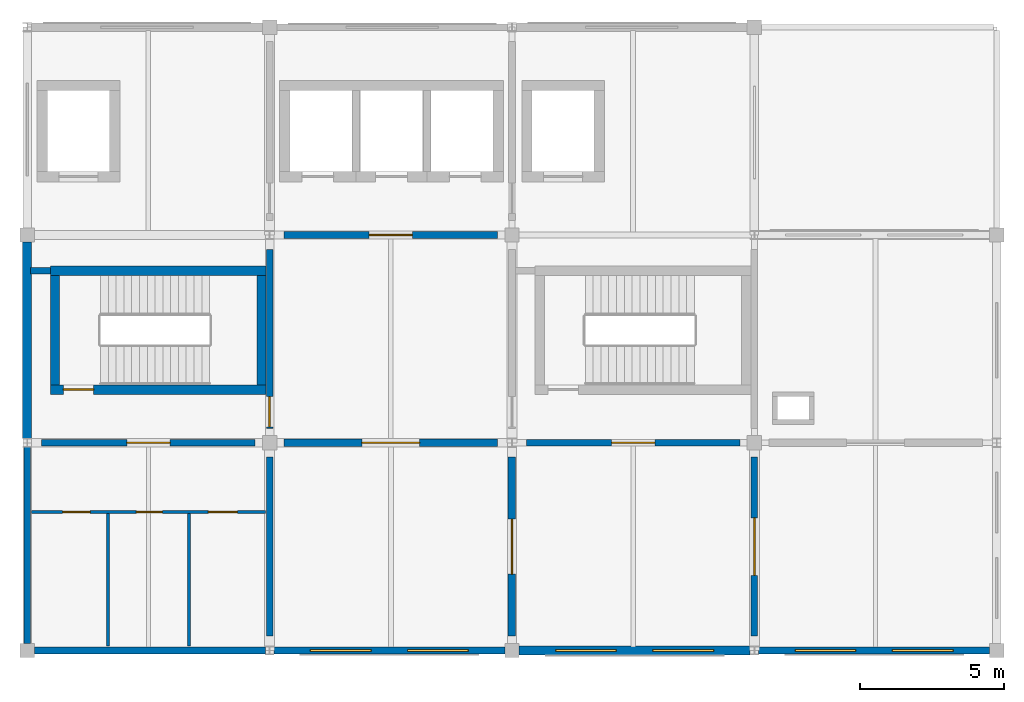
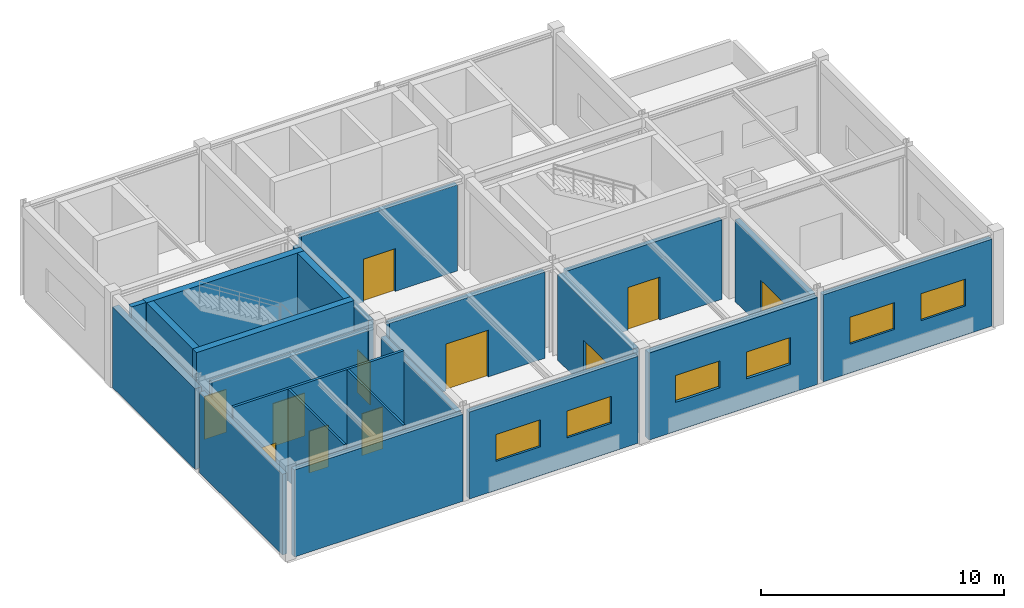
# One storey, part 2 of 5: 22 walls, 11 doors, 6 windows, 17 openings.
"""IFC4 building model written with IfcOpenShell, lengths in metres."""

from ifc_helpers import new_model, si_unit, derived_unit, direction, frame, frame_2d, origin, place, context, subcontext, project, spatial, rectangle, extrude, material, layer, layer_set, type_object, element, fill, save


model = new_model("IFC4")

# Units and contexts
model_context = context("Model", 3, precision=1e-05, world=origin(), true_north=direction((0.0, 1.0)))
body_context = subcontext(model_context, "Body", "Model", "MODEL_VIEW")
ifc_project = project(units=[si_unit("LENGTHUNIT", "METRE"), si_unit("AREAUNIT", "SQUARE_METRE"), si_unit("VOLUMEUNIT", "CUBIC_METRE"), si_unit("PLANEANGLEUNIT", "RADIAN"), si_unit("MASSUNIT", "GRAM", prefix="KILO"), derived_unit("THERMALTRANSMITTANCEUNIT", [(si_unit("MASSUNIT", "GRAM", prefix="KILO"), 1), (si_unit("TIMEUNIT", "SECOND"), -3), (si_unit("THERMODYNAMICTEMPERATUREUNIT", "KELVIN"), -1)])], contexts=[model_context])

# Site, building, storey
site_placement = place(None, origin())
site = spatial("IfcSite", under=ifc_project, at=site_placement, CompositionType="ELEMENT")
building_placement = place(site_placement, origin())
building = spatial("IfcBuilding", under=site, at=building_placement, Name="Veldstrom Oceanarium and Marine Research Institute", CompositionType="ELEMENT")
storey_placement = place(building_placement, frame((0.0, 0.0, 69.0)))
storey = spatial("IfcBuildingStorey", under=building, at=storey_placement, Name="L15", CompositionType="ELEMENT", Elevation=69.0)

# Wall
ifc_material_1 = material(Name="Masonry Cavity Wall", Category="masonry")
ifc_layer_1 = layer(ifc_material_1, 0.31005859375)
ifc_layer_set_1 = layer_set([ifc_layer_1], Name="ARC-WAL-EW1")
wall_type_1 = type_object("IfcWallType", Name="ARC-WAL-EW1", PredefinedType="SOLIDWALL", material=ifc_layer_set_1)
wall_1_placement = place(storey_placement, frame((75.60009765625, 50.550048828125, 0.0), z_axis=(0.0, 0.0, 1.0), x_axis=(0.0, 1.0, 0.0)))
element("IfcWall", 1, at=wall_1_placement, inside=storey, type_object=wall_type_1, Name="Exterior Facade Wall EW1 L15-283", PredefinedType="SOLIDWALL", context=body_context, shape_type="SweptSolid", body=[
    extrude(rectangle(XDim=6.800048828125, YDim=0.31005859375, at=frame_2d((3.39990234375, 0.0))), origin(), (0.0, 0.0, 1.0), 4.044921875),
])

# Wall, openings, windows
wall_2_placement = place(storey_placement, frame((92.64990234375, 43.199951171875, 0.0), z_axis=(0.0, 0.0, 1.0), x_axis=(1.0, 0.0, 0.0)))
wall_2 = element("IfcWall", 2, at=wall_2_placement, inside=storey, type_object=wall_type_1, Name="Exterior Facade Wall EW1 L15-288", PredefinedType="SOLIDWALL", context=body_context, shape_type="SweptSolid", body=[
    extrude(rectangle(XDim=8.0, YDim=0.31005859375, at=frame_2d((4.0, 0.0))), origin(), (0.0, 0.0, 1.0), 4.364990234375),
])
opening_1_placement = place(wall_2_placement, frame((1.2666015625, 0.0, 1.449951171875)))
opening_1 = element("IfcOpeningElement", 3, at=opening_1_placement, cuts=wall_2, Name="Opening W26", PredefinedType="OPENING", context=body_context, shape_type="SweptSolid", body=[
    extrude(rectangle(XDim=2.10009765625, YDim=1.35009765625, at=frame_2d((1.050048828125, 0.675048828125))), frame((0.0, 0.1650390625, 0.0), z_axis=(0.0, -1.0, 0.0), x_axis=(1.0, 0.0, 0.0)), (0.0, 0.0, 1.0), 0.330078125),
])
opening_2_placement = place(wall_2_placement, frame((4.63330078125, 0.0, 1.449951171875)))
opening_2 = element("IfcOpeningElement", 4, at=opening_2_placement, cuts=wall_2, Name="Opening W26", PredefinedType="OPENING", context=body_context, shape_type="SweptSolid", body=[
    extrude(rectangle(XDim=2.10009765625, YDim=1.35009765625, at=frame_2d((1.050048828125, 0.675048828125))), frame((0.0, 0.1650390625, 0.0), z_axis=(0.0, -1.0, 0.0), x_axis=(1.0, 0.0, 0.0)), (0.0, 0.0, 1.0), 0.330078125),
])
ifc_material_2 = material(Name="Double Glazed Low-E IGU", Category="glass")
window_type = type_object("IfcWindowType", Name="ARC-WIN-W26", PartitioningType="SINGLE_PANEL", PredefinedType="WINDOW", material=ifc_material_2)
window_1_placement = place(opening_1_placement, origin())
window_1 = element("IfcWindow", 5, at=window_1_placement, inside=storey, type_object=window_type, Name="Facade Window W26 L15-0285", OverallHeight=1.35009765625, OverallWidth=2.10009765625, PartitioningType="SINGLE_PANEL", PredefinedType="WINDOW", context=body_context, shape_type="SweptSolid", body=[
    extrude(rectangle(XDim=2.10009765625, YDim=1.35009765625, at=frame_2d((1.050048828125, 0.675048828125))), frame((0.0, 0.030029296875, 0.0), z_axis=(0.0, -1.0, 0.0), x_axis=(1.0, 0.0, 0.0)), (0.0, 0.0, 1.0), 0.06005859375),
])
fill(opening_1, window_1)
window_2_placement = place(opening_2_placement, origin())
window_2 = element("IfcWindow", 6, at=window_2_placement, inside=storey, type_object=window_type, Name="Facade Window W26 L15-0286", OverallHeight=1.35009765625, OverallWidth=2.10009765625, PartitioningType="SINGLE_PANEL", PredefinedType="WINDOW", context=body_context, shape_type="SweptSolid", body=[
    extrude(rectangle(XDim=2.10009765625, YDim=1.35009765625, at=frame_2d((1.050048828125, 0.675048828125))), frame((0.0, 0.030029296875, 0.0), z_axis=(0.0, -1.0, 0.0), x_axis=(1.0, 0.0, 0.0)), (0.0, 0.0, 1.0), 0.06005859375),
])
fill(opening_2, window_2)

# Wall
ifc_material_3 = material(Name="Masonry Cavity Wall", Category="masonry")
ifc_layer_2 = layer(ifc_material_3, 0.25)
ifc_layer_set_2 = layer_set([ifc_layer_2], Name="ARC-WAL-EW5")
wall_type_2 = type_object("IfcWallType", Name="ARC-WAL-EW5", PredefinedType="SOLIDWALL", material=ifc_layer_set_2)
wall_3_placement = place(storey_placement, frame((75.85009765625, 43.199951171875, 0.0), z_axis=(0.0, 0.0, 1.0), x_axis=(1.0, 0.0, 0.0)))
element("IfcWall", 7, at=wall_3_placement, inside=storey, type_object=wall_type_2, Name="Exterior Facade Wall EW5 L15-281", PredefinedType="SOLIDWALL", context=body_context, shape_type="SweptSolid", body=[
    extrude(rectangle(XDim=8.0, YDim=0.25, at=frame_2d((4.0, 0.0))), origin(), (0.0, 0.0, 1.0), 4.364990234375),
])

# Wall, openings, windows
wall_4_placement = place(storey_placement, frame((84.14990234375, 43.199951171875, 0.0), z_axis=(0.0, 0.0, 1.0), x_axis=(1.0, 0.0, 0.0)))
wall_4 = element("IfcWall", 8, at=wall_4_placement, inside=storey, type_object=wall_type_2, Name="Exterior Facade Wall EW5 L15-286", PredefinedType="SOLIDWALL", context=body_context, shape_type="SweptSolid", body=[
    extrude(rectangle(XDim=8.0, YDim=0.25, at=frame_2d((4.0, 0.0))), origin(), (0.0, 0.0, 1.0), 4.364990234375),
])
opening_3_placement = place(wall_4_placement, frame((1.2666015625, 0.0, 1.449951171875)))
opening_3 = element("IfcOpeningElement", 9, at=opening_3_placement, cuts=wall_4, Name="Opening W26", PredefinedType="OPENING", context=body_context, shape_type="SweptSolid", body=[
    extrude(rectangle(XDim=2.10009765625, YDim=1.35009765625, at=frame_2d((1.050048828125, 0.675048828125))), frame((0.0, 0.135009765625, 0.0), z_axis=(0.0, -1.0, 0.0), x_axis=(1.0, 0.0, 0.0)), (0.0, 0.0, 1.0), 0.27001953125),
])
opening_4_placement = place(wall_4_placement, frame((4.63330078125, 0.0, 1.449951171875)))
opening_4 = element("IfcOpeningElement", 10, at=opening_4_placement, cuts=wall_4, Name="Opening W26", PredefinedType="OPENING", context=body_context, shape_type="SweptSolid", body=[
    extrude(rectangle(XDim=2.10009765625, YDim=1.35009765625, at=frame_2d((1.050048828125, 0.675048828125))), frame((0.0, 0.135009765625, 0.0), z_axis=(0.0, -1.0, 0.0), x_axis=(1.0, 0.0, 0.0)), (0.0, 0.0, 1.0), 0.27001953125),
])
window_3_placement = place(opening_3_placement, origin())
window_3 = element("IfcWindow", 11, at=window_3_placement, inside=storey, type_object=window_type, Name="Facade Window W26 L15-0282", OverallHeight=1.35009765625, OverallWidth=2.10009765625, PartitioningType="SINGLE_PANEL", PredefinedType="WINDOW", context=body_context, shape_type="SweptSolid", body=[
    extrude(rectangle(XDim=2.10009765625, YDim=1.35009765625, at=frame_2d((1.050048828125, 0.675048828125))), frame((0.0, 0.030029296875, 0.0), z_axis=(0.0, -1.0, 0.0), x_axis=(1.0, 0.0, 0.0)), (0.0, 0.0, 1.0), 0.06005859375),
])
fill(opening_3, window_3)
window_4_placement = place(opening_4_placement, origin())
window_4 = element("IfcWindow", 12, at=window_4_placement, inside=storey, type_object=window_type, Name="Facade Window W26 L15-0283", OverallHeight=1.35009765625, OverallWidth=2.10009765625, PartitioningType="SINGLE_PANEL", PredefinedType="WINDOW", context=body_context, shape_type="SweptSolid", body=[
    extrude(rectangle(XDim=2.10009765625, YDim=1.35009765625, at=frame_2d((1.050048828125, 0.675048828125))), frame((0.0, 0.030029296875, 0.0), z_axis=(0.0, -1.0, 0.0), x_axis=(1.0, 0.0, 0.0)), (0.0, 0.0, 1.0), 0.06005859375),
])
fill(opening_4, window_4)

wall_5_placement = place(storey_placement, frame((100.949951171875, 43.199951171875, 0.0), z_axis=(0.0, 0.0, 1.0), x_axis=(1.0, 0.0, 0.0)))
wall_5 = element("IfcWall", 13, at=wall_5_placement, inside=storey, type_object=wall_type_2, Name="Exterior Facade Wall EW5 L15-291", PredefinedType="SOLIDWALL", context=body_context, shape_type="SweptSolid", body=[
    extrude(rectangle(XDim=8.0, YDim=0.25, at=frame_2d((4.0, 0.0))), origin(), (0.0, 0.0, 1.0), 4.364990234375),
])
opening_5_placement = place(wall_5_placement, frame((1.2666015625, 0.0, 1.449951171875)))
opening_5 = element("IfcOpeningElement", 14, at=opening_5_placement, cuts=wall_5, Name="Opening W26", PredefinedType="OPENING", context=body_context, shape_type="SweptSolid", body=[
    extrude(rectangle(XDim=2.10009765625, YDim=1.35009765625, at=frame_2d((1.050048828125, 0.675048828125))), frame((0.0, 0.135009765625, 0.0), z_axis=(0.0, -1.0, 0.0), x_axis=(1.0, 0.0, 0.0)), (0.0, 0.0, 1.0), 0.27001953125),
])
opening_6_placement = place(wall_5_placement, frame((4.63330078125, 0.0, 1.449951171875)))
opening_6 = element("IfcOpeningElement", 15, at=opening_6_placement, cuts=wall_5, Name="Opening W26", PredefinedType="OPENING", context=body_context, shape_type="SweptSolid", body=[
    extrude(rectangle(XDim=2.10009765625, YDim=1.35009765625, at=frame_2d((1.050048828125, 0.675048828125))), frame((0.0, 0.135009765625, 0.0), z_axis=(0.0, -1.0, 0.0), x_axis=(1.0, 0.0, 0.0)), (0.0, 0.0, 1.0), 0.27001953125),
])
window_5_placement = place(opening_5_placement, origin())
window_5 = element("IfcWindow", 16, at=window_5_placement, inside=storey, type_object=window_type, Name="Facade Window W26 L15-0289", OverallHeight=1.35009765625, OverallWidth=2.10009765625, PartitioningType="SINGLE_PANEL", PredefinedType="WINDOW", context=body_context, shape_type="SweptSolid", body=[
    extrude(rectangle(XDim=2.10009765625, YDim=1.35009765625, at=frame_2d((1.050048828125, 0.675048828125))), frame((0.0, 0.030029296875, 0.0), z_axis=(0.0, -1.0, 0.0), x_axis=(1.0, 0.0, 0.0)), (0.0, 0.0, 1.0), 0.06005859375),
])
fill(opening_5, window_5)
window_6_placement = place(opening_6_placement, origin())
window_6 = element("IfcWindow", 17, at=window_6_placement, inside=storey, type_object=window_type, Name="Facade Window W26 L15-0290", OverallHeight=1.35009765625, OverallWidth=2.10009765625, PartitioningType="SINGLE_PANEL", PredefinedType="WINDOW", context=body_context, shape_type="SweptSolid", body=[
    extrude(rectangle(XDim=2.10009765625, YDim=1.35009765625, at=frame_2d((1.050048828125, 0.675048828125))), frame((0.0, 0.030029296875, 0.0), z_axis=(0.0, -1.0, 0.0), x_axis=(1.0, 0.0, 0.0)), (0.0, 0.0, 1.0), 0.06005859375),
])
fill(opening_6, window_6)

# Walls
ifc_material_4 = material(Name="Masonry Cavity Wall", Category="masonry")
ifc_layer_3 = layer(ifc_material_4, 0.215087890625)
ifc_layer_set_3 = layer_set([ifc_layer_3], Name="ARC-WAL-EW6")
wall_type_3 = type_object("IfcWallType", Name="ARC-WAL-EW6", PredefinedType="SOLIDWALL", material=ifc_layer_set_3)
wall_6_placement = place(storey_placement, frame((75.60009765625, 43.449951171875, 0.0), z_axis=(0.0, 0.0, 1.0), x_axis=(0.0, 1.0, 0.0)))
element("IfcWall", 18, at=wall_6_placement, inside=storey, type_object=wall_type_3, Name="Exterior Facade Wall EW6 L15-282", PredefinedType="SOLIDWALL", context=body_context, shape_type="SweptSolid", body=[
    extrude(rectangle(XDim=6.800048828125, YDim=0.215087890625, at=frame_2d((3.39990234375, 0.0))), origin(), (0.0, 0.0, 1.0), 4.044921875),
])
ifc_material_5 = material(Name="Masonry Fire Compartment Wall", Category="masonry")
ifc_layer_4 = layer(ifc_material_5, 0.22998046875)
ifc_layer_set_4 = layer_set([ifc_layer_4], Name="ARC-WAL-PT1")
wall_type_4 = type_object("IfcWallType", Name="ARC-WAL-PT1", PredefinedType="PARTITIONING", material=ifc_layer_set_4)
wall_7_placement = place(storey_placement, frame((84.0, 43.699951171875, 0.0), z_axis=(0.0, 0.0, 1.0), x_axis=(0.0, 1.0, 0.0)))
element("IfcWall", 19, at=wall_7_placement, inside=storey, type_object=wall_type_4, Name="Interior Partition PT1 L15-1788", PredefinedType="PARTITIONING", context=body_context, shape_type="SweptSolid", body=[
    extrude(rectangle(XDim=6.199951171875, YDim=0.22998046875, at=frame_2d((3.10009765625, 0.0))), origin(), (0.0, 0.0, 1.0), 4.094970703125),
])

# Wall, opening, door
wall_8_placement = place(storey_placement, frame((76.10009765625, 50.39990234375, 0.0), z_axis=(0.0, 0.0, 1.0), x_axis=(1.0, 0.0, 0.0)))
wall_8 = element("IfcWall", 20, at=wall_8_placement, inside=storey, type_object=wall_type_4, Name="Interior Partition PT1 L15-1789", PredefinedType="PARTITIONING", context=body_context, shape_type="SweptSolid", body=[
    extrude(rectangle(XDim=7.39990234375, YDim=0.22998046875, at=frame_2d((3.699951171875, 0.0))), origin(), (0.0, 0.0, 1.0), 4.304931640625),
])
opening_7_placement = place(wall_8_placement, frame((2.949951171875, 0.0, 0.0)))
opening_7 = element("IfcOpeningElement", 21, at=opening_7_placement, cuts=wall_8, Name="Opening D-L15-1109", PredefinedType="OPENING", context=body_context, shape_type="SweptSolid", body=[
    extrude(rectangle(XDim=1.5, YDim=2.14990234375, at=frame_2d((0.75, 1.074951171875))), frame((0.0, 0.125, 0.0), z_axis=(0.0, -1.0, 0.0), x_axis=(1.0, 0.0, 0.0)), (0.0, 0.0, 1.0), 0.25),
])
ifc_material_6 = material(Name="Painted Steel Lobby Fire Door", Category="steel")
door_type_1 = type_object("IfcDoorType", Name="ARC-DOR-SD2", OperationType="DOUBLE_DOOR_SINGLE_SWING", PredefinedType="DOOR", material=ifc_material_6)
door_1_placement = place(opening_7_placement, frame((1.5, 0.0, 0.0), z_axis=(0.0, 0.0, 1.0), x_axis=(-1.0, 0.0, 0.0)))
door_1 = element("IfcDoor", 22, at=door_1_placement, inside=storey, type_object=door_type_1, Name="Interior Door D-L15-1109", OperationType="DOUBLE_DOOR_SINGLE_SWING", OverallHeight=2.14990234375, OverallWidth=1.5, PredefinedType="DOOR", context=body_context, shape_type="SweptSolid", body=[
    extrude(rectangle(XDim=1.5, YDim=2.14990234375, at=frame_2d((0.75, 1.074951171875))), frame((0.0, 0.02490234375, 0.0), z_axis=(0.0, -1.0, 0.0), x_axis=(1.0, 0.0, 0.0)), (0.0, 0.0, 1.0), 0.050048828125),
])
fill(opening_7, door_1)

wall_9_placement = place(storey_placement, frame((84.0, 50.89990234375, 0.0), z_axis=(0.0, 0.0, 1.0), x_axis=(0.0, 1.0, 0.0)))
wall_9 = element("IfcWall", 23, at=wall_9_placement, inside=storey, type_object=wall_type_4, Name="Interior Partition PT1 L15-1790", PredefinedType="PARTITIONING", context=body_context, shape_type="SweptSolid", body=[
    extrude(rectangle(XDim=6.2001953125, YDim=0.22998046875, at=frame_2d((3.10009765625, 0.0))), origin(), (0.0, 0.0, 1.0), 4.304931640625),
])
opening_8_placement = place(wall_9_placement, frame((0.050048828125, 0.0, 0.0)))
opening_8 = element("IfcOpeningElement", 24, at=opening_8_placement, cuts=wall_9, Name="Opening D-L15-1110", PredefinedType="OPENING", context=body_context, shape_type="SweptSolid", body=[
    extrude(rectangle(XDim=1.050048828125, YDim=2.14990234375, at=frame_2d((0.52490234375, 1.074951171875))), frame((0.0, 0.125, 0.0), z_axis=(0.0, -1.0, 0.0), x_axis=(1.0, 0.0, 0.0)), (0.0, 0.0, 1.0), 0.25),
])
ifc_material_7 = material(Name="Painted Steel Fire Door", Category="steel")
door_type_2 = type_object("IfcDoorType", Name="ARC-DOR-SD1", OperationType="SINGLE_SWING_LEFT", PredefinedType="DOOR", material=ifc_material_7)
door_2_placement = place(opening_8_placement, origin())
door_2 = element("IfcDoor", 25, at=door_2_placement, inside=storey, type_object=door_type_2, Name="Interior Door D-L15-1110", OperationType="SINGLE_SWING_LEFT", OverallHeight=2.14990234375, OverallWidth=1.050048828125, PredefinedType="DOOR", context=body_context, shape_type="SweptSolid", body=[
    extrude(rectangle(XDim=1.050048828125, YDim=2.14990234375, at=frame_2d((0.52490234375, 1.074951171875))), frame((0.0, 0.02490234375, 0.0), z_axis=(0.0, -1.0, 0.0), x_axis=(1.0, 0.0, 0.0)), (0.0, 0.0, 1.0), 0.050048828125),
])
fill(opening_8, door_2)

# Wall
wall_10_placement = place(storey_placement, frame((75.719970703125, 56.360107421875, 0.0), z_axis=(0.0, 0.0, 1.0), x_axis=(1.0, 0.0, 0.0)))
element("IfcWall", 26, at=wall_10_placement, inside=storey, type_object=wall_type_4, Name="Interior Partition PT1 L15-1791", PredefinedType="PARTITIONING", context=body_context, shape_type="SweptSolid", body=[
    extrude(rectangle(XDim=0.679931640625, YDim=0.22998046875, at=frame_2d((0.33984375, 0.0))), origin(), (0.0, 0.0, 1.0), 4.60009765625),
])

# Wall, opening, door
wall_11_placement = place(storey_placement, frame((84.5, 57.60009765625, 0.0), z_axis=(0.0, 0.0, 1.0), x_axis=(1.0, 0.0, 0.0)))
wall_11 = element("IfcWall", 27, at=wall_11_placement, inside=storey, type_object=wall_type_4, Name="Interior Partition PT1 L15-1796", PredefinedType="PARTITIONING", context=body_context, shape_type="SweptSolid", body=[
    extrude(rectangle(XDim=7.39990234375, YDim=0.22998046875, at=frame_2d((3.699951171875, 0.0))), origin(), (0.0, 0.0, 1.0), 4.324951171875),
])
opening_9_placement = place(wall_11_placement, frame((2.949951171875, 0.0, 0.0)))
opening_9 = element("IfcOpeningElement", 28, at=opening_9_placement, cuts=wall_11, Name="Opening D-L15-1115", PredefinedType="OPENING", context=body_context, shape_type="SweptSolid", body=[
    extrude(rectangle(XDim=1.5, YDim=2.14990234375, at=frame_2d((0.75, 1.074951171875))), frame((0.0, 0.125, 0.0), z_axis=(0.0, -1.0, 0.0), x_axis=(1.0, 0.0, 0.0)), (0.0, 0.0, 1.0), 0.25),
])
door_3_placement = place(opening_9_placement, origin())
door_3 = element("IfcDoor", 29, at=door_3_placement, inside=storey, type_object=door_type_1, Name="Interior Door D-L15-1115", OperationType="DOUBLE_DOOR_SINGLE_SWING", OverallHeight=2.14990234375, OverallWidth=1.5, PredefinedType="DOOR", context=body_context, shape_type="SweptSolid", body=[
    extrude(rectangle(XDim=1.5, YDim=2.14990234375, at=frame_2d((0.75, 1.074951171875))), frame((0.0, 0.02490234375, 0.0), z_axis=(0.0, -1.0, 0.0), x_axis=(1.0, 0.0, 0.0)), (0.0, 0.0, 1.0), 0.050048828125),
])
fill(opening_9, door_3)

wall_12_placement = place(storey_placement, frame((100.800048828125, 43.699951171875, 0.0), z_axis=(0.0, 0.0, 1.0), x_axis=(0.0, 1.0, 0.0)))
wall_12 = element("IfcWall", 30, at=wall_12_placement, inside=storey, type_object=wall_type_4, Name="Interior Partition PT1 L15-1798", PredefinedType="PARTITIONING", context=body_context, shape_type="SweptSolid", body=[
    extrude(rectangle(XDim=6.199951171875, YDim=0.22998046875, at=frame_2d((3.10009765625, 0.0))), origin(), (0.0, 0.0, 1.0), 4.094970703125),
])
opening_10_placement = place(wall_12_placement, frame((2.10009765625, 0.0, 0.0)))
opening_10 = element("IfcOpeningElement", 31, at=opening_10_placement, cuts=wall_12, Name="Opening D-L15-1117", PredefinedType="OPENING", context=body_context, shape_type="SweptSolid", body=[
    extrude(rectangle(XDim=2.0, YDim=2.35009765625, at=frame_2d((1.0, 1.175048828125))), frame((0.0, 0.125, 0.0), z_axis=(0.0, -1.0, 0.0), x_axis=(1.0, 0.0, 0.0)), (0.0, 0.0, 1.0), 0.25),
])
ifc_material_8 = material(Name="Filtration Hall Double Door", Category="steel")
door_type_3 = type_object("IfcDoorType", Name="ARC-DOR-ID18", OperationType="DOUBLE_DOOR_SINGLE_SWING", PredefinedType="DOOR", material=ifc_material_8)
door_4_placement = place(opening_10_placement, frame((2.0, 0.0, 0.0), z_axis=(0.0, 0.0, 1.0), x_axis=(-1.0, 0.0, 0.0)))
door_4 = element("IfcDoor", 32, at=door_4_placement, inside=storey, type_object=door_type_3, Name="Interior Door D-L15-1117", OperationType="DOUBLE_DOOR_SINGLE_SWING", OverallHeight=2.35009765625, OverallWidth=2.0, PredefinedType="DOOR", context=body_context, shape_type="SweptSolid", body=[
    extrude(rectangle(XDim=2.0, YDim=2.35009765625, at=frame_2d((1.0, 1.175048828125))), frame((0.0, 0.02490234375, 0.0), z_axis=(0.0, -1.0, 0.0), x_axis=(1.0, 0.0, 0.0)), (0.0, 0.0, 1.0), 0.050048828125),
])
fill(opening_10, door_4)

wall_13_placement = place(storey_placement, frame((92.89990234375, 50.39990234375, 0.0), z_axis=(0.0, 0.0, 1.0), x_axis=(1.0, 0.0, 0.0)))
wall_13 = element("IfcWall", 33, at=wall_13_placement, inside=storey, type_object=wall_type_4, Name="Interior Partition PT1 L15-1799", PredefinedType="PARTITIONING", context=body_context, shape_type="SweptSolid", body=[
    extrude(rectangle(XDim=7.400146484375, YDim=0.22998046875, at=frame_2d((3.7001953125, 0.0))), origin(), (0.0, 0.0, 1.0), 3.9951171875),
])
opening_11_placement = place(wall_13_placement, frame((2.949951171875, 0.0, 0.0)))
opening_11 = element("IfcOpeningElement", 34, at=opening_11_placement, cuts=wall_13, Name="Opening D-L15-1118", PredefinedType="OPENING", context=body_context, shape_type="SweptSolid", body=[
    extrude(rectangle(XDim=1.5, YDim=2.14990234375, at=frame_2d((0.75, 1.074951171875))), frame((0.0, 0.125, 0.0), z_axis=(0.0, -1.0, 0.0), x_axis=(1.0, 0.0, 0.0)), (0.0, 0.0, 1.0), 0.25),
])
door_5_placement = place(opening_11_placement, frame((1.5, 0.0, 0.0), z_axis=(0.0, 0.0, 1.0), x_axis=(-1.0, 0.0, 0.0)))
door_5 = element("IfcDoor", 35, at=door_5_placement, inside=storey, type_object=door_type_1, Name="Interior Door D-L15-1118", OperationType="DOUBLE_DOOR_SINGLE_SWING", OverallHeight=2.14990234375, OverallWidth=1.5, PredefinedType="DOOR", context=body_context, shape_type="SweptSolid", body=[
    extrude(rectangle(XDim=1.5, YDim=2.14990234375, at=frame_2d((0.75, 1.074951171875))), frame((0.0, 0.02490234375, 0.0), z_axis=(0.0, -1.0, 0.0), x_axis=(1.0, 0.0, 0.0)), (0.0, 0.0, 1.0), 0.050048828125),
])
fill(opening_11, door_5)

# Wall, openings, doors
ifc_material_9 = material(Name="Lightweight Studio Partition", Category="gypsum")
ifc_layer_5 = layer(ifc_material_9, 0.1201171875)
ifc_layer_set_5 = layer_set([ifc_layer_5], Name="ARC-WAL-PT6")
wall_type_5 = type_object("IfcWallType", Name="ARC-WAL-PT6", PredefinedType="PARTITIONING", material=ifc_layer_set_5)
wall_14_placement = place(storey_placement, frame((75.75, 48.0, 0.0), z_axis=(0.0, 0.0, 1.0), x_axis=(1.0, 0.0, 0.0)))
wall_14 = element("IfcWall", 36, at=wall_14_placement, inside=storey, type_object=wall_type_5, Name="Sanitary Vestibule Partition L15-9", PredefinedType="PARTITIONING", context=body_context, shape_type="SweptSolid", body=[
    extrude(rectangle(XDim=8.10009765625, YDim=0.1201171875, at=frame_2d((4.050048828125, 0.0))), origin(), (0.0, 0.0, 1.0), 4.60009765625),
])
opening_12_placement = place(wall_14_placement, frame((1.080078125, 0.0, 0.0)))
opening_12 = element("IfcOpeningElement", 37, at=opening_12_placement, cuts=wall_14, Name="Opening D-L15-WC1106", PredefinedType="OPENING", context=body_context, shape_type="SweptSolid", body=[
    extrude(rectangle(XDim=0.949951171875, YDim=2.10009765625, at=frame_2d((0.47509765625, 1.050048828125))), frame((0.0, 0.070068359375, 0.0), z_axis=(0.0, -1.0, 0.0), x_axis=(1.0, 0.0, 0.0)), (0.0, 0.0, 1.0), 0.14013671875),
])
opening_13_placement = place(wall_14_placement, frame((3.6298828125, 0.0, 0.0)))
opening_13 = element("IfcOpeningElement", 38, at=opening_13_placement, cuts=wall_14, Name="Opening D-L15-WC1107", PredefinedType="OPENING", context=body_context, shape_type="SweptSolid", body=[
    extrude(rectangle(XDim=0.89990234375, YDim=2.10009765625, at=frame_2d((0.449951171875, 1.050048828125))), frame((0.0, 0.070068359375, 0.0), z_axis=(0.0, -1.0, 0.0), x_axis=(1.0, 0.0, 0.0)), (0.0, 0.0, 1.0), 0.14013671875),
])
opening_14_placement = place(wall_14_placement, frame((6.1298828125, 0.0, 0.0)))
opening_14 = element("IfcOpeningElement", 39, at=opening_14_placement, cuts=wall_14, Name="Opening D-L15-WC1108", PredefinedType="OPENING", context=body_context, shape_type="SweptSolid", body=[
    extrude(rectangle(XDim=1.0, YDim=2.10009765625, at=frame_2d((0.5, 1.050048828125))), frame((0.0, 0.070068359375, 0.0), z_axis=(0.0, -1.0, 0.0), x_axis=(1.0, 0.0, 0.0)), (0.0, 0.0, 1.0), 0.14013671875),
])
ifc_material_10 = material(Name="Accessible Sanitary Door", Category="timber")
door_type_4 = type_object("IfcDoorType", Name="ARC-DOR-ID08", OperationType="SINGLE_SWING_RIGHT", PredefinedType="DOOR", material=ifc_material_10)
door_6_placement = place(opening_14_placement, frame((1.0, 0.0, 0.0), z_axis=(0.0, 0.0, 1.0), x_axis=(-1.0, 0.0, 0.0)))
door_6 = element("IfcDoor", 40, at=door_6_placement, inside=storey, type_object=door_type_4, Name="Accessible WC Door D-L15-WC1108", OperationType="SINGLE_SWING_RIGHT", OverallHeight=2.10009765625, OverallWidth=1.0, PredefinedType="DOOR", context=body_context, shape_type="SweptSolid", body=[
    extrude(rectangle(XDim=1.0, YDim=2.10009765625, at=frame_2d((0.5, 1.050048828125))), frame((0.0, 0.02490234375, 0.0), z_axis=(0.0, -1.0, 0.0), x_axis=(1.0, 0.0, 0.0)), (0.0, 0.0, 1.0), 0.050048828125),
])
fill(opening_14, door_6)
ifc_material_11 = material(Name="Staff Sanitary Door", Category="timber")
door_type_5 = type_object("IfcDoorType", Name="ARC-DOR-ID09", OperationType="SINGLE_SWING_LEFT", PredefinedType="DOOR", material=ifc_material_11)
door_7_placement = place(opening_12_placement, frame((0.949951171875, 0.0, 0.0), z_axis=(0.0, 0.0, 1.0), x_axis=(-1.0, 0.0, 0.0)))
door_7 = element("IfcDoor", 41, at=door_7_placement, inside=storey, type_object=door_type_5, Name="Male WC Door D-L15-WC1106", OperationType="SINGLE_SWING_RIGHT", OverallHeight=2.10009765625, OverallWidth=0.949951171875, PredefinedType="DOOR", context=body_context, shape_type="SweptSolid", body=[
    extrude(rectangle(XDim=0.949951171875, YDim=2.10009765625, at=frame_2d((0.47509765625, 1.050048828125))), frame((0.0, 0.02490234375, 0.0), z_axis=(0.0, -1.0, 0.0), x_axis=(1.0, 0.0, 0.0)), (0.0, 0.0, 1.0), 0.050048828125),
])
fill(opening_12, door_7)
ifc_material_12 = material(Name="Internal Sanitary Door", Category="timber")
door_type_6 = type_object("IfcDoorType", Name="ARC-DOR-ID10", OperationType="SINGLE_SWING_RIGHT", PredefinedType="DOOR", material=ifc_material_12)
door_8_placement = place(opening_13_placement, frame((0.89990234375, 0.0, 0.0), z_axis=(0.0, 0.0, 1.0), x_axis=(-1.0, 0.0, 0.0)))
door_8 = element("IfcDoor", 42, at=door_8_placement, inside=storey, type_object=door_type_6, Name="Female WC Door D-L15-WC1107", OperationType="SINGLE_SWING_LEFT", OverallHeight=2.10009765625, OverallWidth=0.89990234375, PredefinedType="DOOR", context=body_context, shape_type="SweptSolid", body=[
    extrude(rectangle(XDim=0.89990234375, YDim=2.10009765625, at=frame_2d((0.449951171875, 1.050048828125))), frame((0.0, 0.02490234375, 0.0), z_axis=(0.0, -1.0, 0.0), x_axis=(1.0, 0.0, 0.0)), (0.0, 0.0, 1.0), 0.050048828125),
])
fill(opening_13, door_8)

# Walls
ifc_material_13 = material(Name="Sanitary Cubicle Partition", Category="gypsum")
ifc_layer_6 = layer(ifc_material_13, 0.10009765625)
ifc_layer_set_6 = layer_set([ifc_layer_6], Name="ARC-WAL-PT7")
wall_type_6 = type_object("IfcWallType", Name="ARC-WAL-PT7", PredefinedType="PARTITIONING", material=ifc_layer_set_6)
for number, where, z_axis, x_axis, name in (
    (43, (78.39990234375, 43.35009765625, 0.0), (0.0, 0.0, 1.0), (0.0, 1.0, 0.0), "Sanitary Stall Divider Wall L15-1786"),
    (44, (81.199951171875, 43.35009765625, 0.0), (0.0, 0.0, 1.0), (0.0, 1.0, 0.0), "Sanitary Stall Divider Wall L15-1787"),
):
    element("IfcWall", number, at=place(storey_placement, frame(where, z_axis=z_axis, x_axis=x_axis)), inside=storey, type_object=wall_type_6, Name=name, PredefinedType="PARTITIONING", context=body_context, shape_type="SweptSolid", body=[
        extrude(rectangle(XDim=4.58984375, YDim=0.10009765625, at=frame_2d((2.294921875, 0.0))), origin(), (0.0, 0.0, 1.0), 4.60009765625),
    ])

# Wall, opening, door
ifc_material_14 = material(Name="Plant Acoustic Masonry Wall", Category="masonry")
ifc_layer_7 = layer(ifc_material_14, 0.260009765625)
ifc_layer_set_7 = layer_set([ifc_layer_7], Name="ARC-WAL-PT8")
wall_type_7 = type_object("IfcWallType", Name="ARC-WAL-PT8", PredefinedType="PARTITIONING", material=ifc_layer_set_7)
wall_15_placement = place(storey_placement, frame((92.39990234375, 43.699951171875, 0.0), z_axis=(0.0, 0.0, 1.0), x_axis=(0.0, 1.0, 0.0)))
wall_15 = element("IfcWall", 45, at=wall_15_placement, inside=storey, type_object=wall_type_7, Name="Interior Partition PT8 L15-1793", PredefinedType="PARTITIONING", context=body_context, shape_type="SweptSolid", body=[
    extrude(rectangle(XDim=6.199951171875, YDim=0.260009765625, at=frame_2d((3.10009765625, 0.0))), origin(), (0.0, 0.0, 1.0), 4.304931640625),
])
opening_15_placement = place(wall_15_placement, frame((2.14990234375, 0.0, 0.0)))
opening_15 = element("IfcOpeningElement", 46, at=opening_15_placement, cuts=wall_15, Name="Opening D-L15-1112", PredefinedType="OPENING", context=body_context, shape_type="SweptSolid", body=[
    extrude(rectangle(XDim=1.89990234375, YDim=2.300048828125, at=frame_2d((0.949951171875, 1.14990234375))), frame((0.0, 0.139892578125, 0.0), z_axis=(0.0, -1.0, 0.0), x_axis=(1.0, 0.0, 0.0)), (0.0, 0.0, 1.0), 0.280029296875),
])
ifc_material_15 = material(Name="Plant Hall Equipment Door", Category="steel")
door_type_7 = type_object("IfcDoorType", Name="ARC-DOR-ID12", OperationType="DOUBLE_DOOR_SINGLE_SWING", PredefinedType="DOOR", material=ifc_material_15)
door_9_placement = place(opening_15_placement, origin())
door_9 = element("IfcDoor", 47, at=door_9_placement, inside=storey, type_object=door_type_7, Name="Interior Door D-L15-1112", OperationType="DOUBLE_DOOR_SINGLE_SWING", OverallHeight=2.300048828125, OverallWidth=1.89990234375, PredefinedType="DOOR", context=body_context, shape_type="SweptSolid", body=[
    extrude(rectangle(XDim=1.89990234375, YDim=2.300048828125, at=frame_2d((0.949951171875, 1.14990234375))), frame((0.0, 0.02490234375, 0.0), z_axis=(0.0, -1.0, 0.0), x_axis=(1.0, 0.0, 0.0)), (0.0, 0.0, 1.0), 0.050048828125),
])
fill(opening_15, door_9)

wall_16_placement = place(storey_placement, frame((84.5, 50.39990234375, 0.0), z_axis=(0.0, 0.0, 1.0), x_axis=(1.0, 0.0, 0.0)))
wall_16 = element("IfcWall", 48, at=wall_16_placement, inside=storey, type_object=wall_type_7, Name="Interior Partition PT8 L15-1794", PredefinedType="PARTITIONING", context=body_context, shape_type="SweptSolid", body=[
    extrude(rectangle(XDim=7.39990234375, YDim=0.260009765625, at=frame_2d((3.699951171875, 0.0))), origin(), (0.0, 0.0, 1.0), 4.324951171875),
])
opening_16_placement = place(wall_16_placement, frame((2.699951171875, 0.0, 0.0)))
opening_16 = element("IfcOpeningElement", 49, at=opening_16_placement, cuts=wall_16, Name="Opening D-L15-1113", PredefinedType="OPENING", context=body_context, shape_type="SweptSolid", body=[
    extrude(rectangle(XDim=2.0, YDim=2.35009765625, at=frame_2d((1.0, 1.175048828125))), frame((0.0, 0.139892578125, 0.0), z_axis=(0.0, -1.0, 0.0), x_axis=(1.0, 0.0, 0.0)), (0.0, 0.0, 1.0), 0.280029296875),
])
door_10_placement = place(opening_16_placement, frame((2.0, 0.0, 0.0), z_axis=(0.0, 0.0, 1.0), x_axis=(-1.0, 0.0, 0.0)))
door_10 = element("IfcDoor", 50, at=door_10_placement, inside=storey, type_object=door_type_3, Name="Interior Door D-L15-1113", OperationType="DOUBLE_DOOR_SINGLE_SWING", OverallHeight=2.35009765625, OverallWidth=2.0, PredefinedType="DOOR", context=body_context, shape_type="SweptSolid", body=[
    extrude(rectangle(XDim=2.0, YDim=2.35009765625, at=frame_2d((1.0, 1.175048828125))), frame((0.0, 0.02490234375, 0.0), z_axis=(0.0, -1.0, 0.0), x_axis=(1.0, 0.0, 0.0)), (0.0, 0.0, 1.0), 0.050048828125),
])
fill(opening_16, door_10)

ifc_material_16 = material(Name="Concrete C40/50", Category="concrete")
ifc_layer_8 = layer(ifc_material_16, 0.320068359375)
ifc_layer_set_8 = layer_set([ifc_layer_8], Name="STR-WAL-WC3")
wall_type_8 = type_object("IfcWallType", Name="STR-WAL-WC3", PredefinedType="SHEAR", material=ifc_layer_set_8)
wall_17_placement = place(storey_placement, frame((76.39990234375, 52.239990234375, 0.0), z_axis=(0.0, 0.0, 1.0), x_axis=(1.0, 0.0, 0.0)))
wall_17 = element("IfcWall", 51, at=wall_17_placement, inside=storey, type_object=wall_type_8, Name="Stair Core Shear Wall SC1-L15-S", PredefinedType="SHEAR", context=body_context, shape_type="SweptSolid", body=[
    extrude(rectangle(XDim=7.47998046875, YDim=0.320068359375, at=frame_2d((3.739990234375, 0.0))), origin(), (0.0, 0.0, 1.0), 4.60009765625),
])
opening_17_placement = place(wall_17_placement, frame((0.449951171875, 0.0, 0.0)))
opening_17 = element("IfcOpeningElement", 52, at=opening_17_placement, cuts=wall_17, Name="Opening D-ST1-L15", PredefinedType="OPENING", context=body_context, shape_type="SweptSolid", body=[
    extrude(rectangle(XDim=1.050048828125, YDim=2.14990234375, at=frame_2d((0.52490234375, 1.074951171875))), frame((0.0, 0.169921875, 0.0), z_axis=(0.0, -1.0, 0.0), x_axis=(1.0, 0.0, 0.0)), (0.0, 0.0, 1.0), 0.340087890625),
])
door_11_placement = place(opening_17_placement, origin())
door_11 = element("IfcDoor", 53, at=door_11_placement, inside=storey, type_object=door_type_2, Name="Escape Stair Fire Door D-ST1-L15", OperationType="SINGLE_SWING_LEFT", OverallHeight=2.14990234375, OverallWidth=1.050048828125, PredefinedType="DOOR", context=body_context, shape_type="SweptSolid", body=[
    extrude(rectangle(XDim=1.050048828125, YDim=2.14990234375, at=frame_2d((0.52490234375, 1.074951171875))), frame((0.0, 0.02490234375, 0.0), z_axis=(0.0, -1.0, 0.0), x_axis=(1.0, 0.0, 0.0)), (0.0, 0.0, 1.0), 0.050048828125),
])
fill(opening_17, door_11)

# Walls
wall_18_placement = place(storey_placement, frame((76.39990234375, 56.360107421875, 0.0), z_axis=(0.0, 0.0, 1.0), x_axis=(1.0, 0.0, 0.0)))
element("IfcWall", 54, at=wall_18_placement, inside=storey, type_object=wall_type_8, Name="Stair Core Shear Wall SC1-L15-N", PredefinedType="SHEAR", context=body_context, shape_type="SweptSolid", body=[
    extrude(rectangle(XDim=7.47998046875, YDim=0.320068359375, at=frame_2d((3.739990234375, 0.0))), origin(), (0.0, 0.0, 1.0), 4.60009765625),
])
for number, where, z_axis, x_axis, name in (
    (55, (76.56005859375, 52.39990234375, 0.0), (0.0, 0.0, 1.0), (0.0, 1.0, 0.0), "Stair Core Shear Wall SC1-L15-W"),
    (56, (83.719970703125, 52.39990234375, 0.0), (0.0, 0.0, 1.0), (0.0, 1.0, 0.0), "Stair Core Shear Wall SC1-L15-E"),
):
    element("IfcWall", number, at=place(storey_placement, frame(where, z_axis=z_axis, x_axis=x_axis)), inside=storey, type_object=wall_type_8, Name=name, PredefinedType="SHEAR", context=body_context, shape_type="SweptSolid", body=[
        extrude(rectangle(XDim=3.800048828125, YDim=0.320068359375, at=frame_2d((1.89990234375, 0.0))), origin(), (0.0, 0.0, 1.0), 4.60009765625),
    ])

save(model, "model.ifc")
